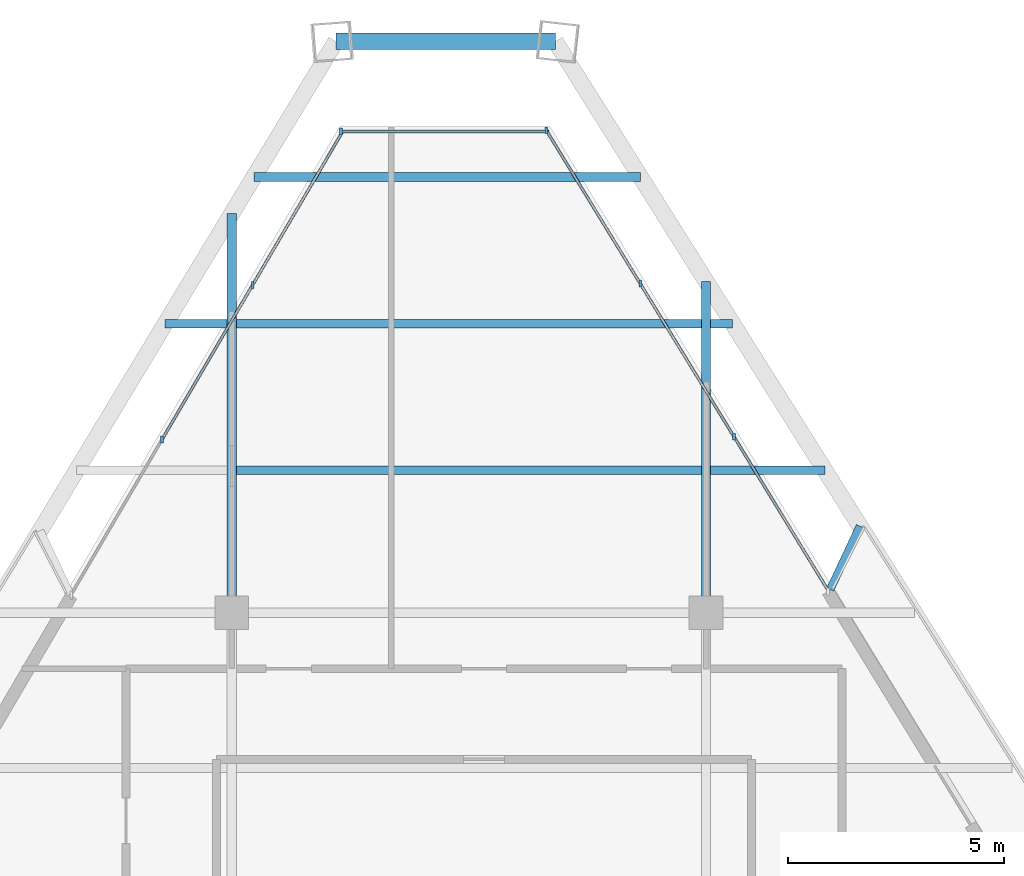
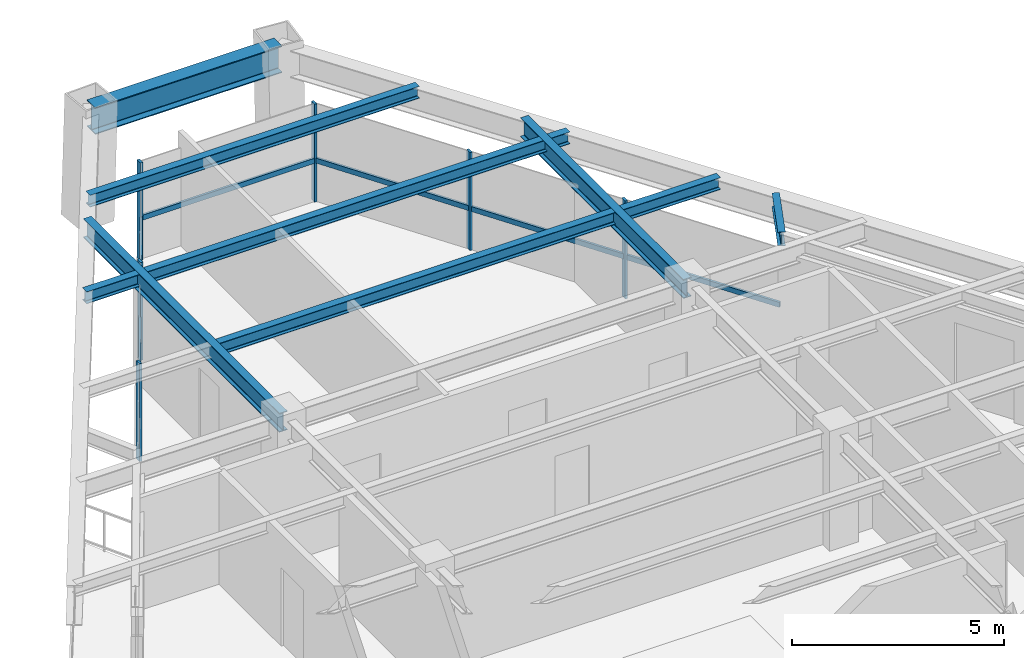
# One storey, part 7 of 13: 12 members, 9 beams, 3 elements without a shape of their own.
"""IFC4 building model written with IfcOpenShell, lengths in metres."""

import ifcopenshell
import ifcopenshell.guid

model = None  # the IFC model being written
_history = None  # IfcOwnerHistory: only IFC2X3 demands one
_inside = {}  # id of a spatial element -> (the spatial element, [elements in it])
_under = {}  # id of a project, library or spatial element -> (it, [spatial elements below it])
_declared = {}  # id of a project -> (the project, [libraries it declares])
_typed = {}  # id of a type object -> (the type object, [elements of that type])
_made_of = {}  # id of a material, layer set ... -> (it, [elements and type objects made of it])


def new_model(schema):
    """Start an empty IFC model of exactly this schema.

    Asked for "IFC4X3", IfcOpenShell would pick the latest addendum, in which some entities
    have other attributes; the version numbers below select the first issue.
    IFC2X3 requires an IfcOwnerHistory on every rooted entity: one is made here for all.
    """
    global model, _history
    if schema == "IFC4X3":
        model = ifcopenshell.file(schema_version=(4, 3, 0, 0))
    else:
        model = ifcopenshell.file(schema=schema)
    _inside.clear()
    _under.clear()
    _declared.clear()
    _typed.clear()
    _made_of.clear()
    _history = None
    if model.schema == "IFC2X3":
        org = make("IfcOrganization", Name="unknown")
        user = make(
            "IfcPersonAndOrganization",
            ThePerson=make("IfcPerson", FamilyName="unknown"),
            TheOrganization=org,
        )
        app = make(
            "IfcApplication",
            ApplicationDeveloper=org,
            Version="unknown",
            ApplicationFullName="unknown",
            ApplicationIdentifier="unknown",
        )
        _history = make(
            "IfcOwnerHistory",
            OwningUser=user,
            OwningApplication=app,
            ChangeAction="ADDED",
            CreationDate=0,
        )
    return model


def make(cls, **values):
    """One entity of the class cls with the attributes given. An attribute that is None is left unset."""
    return model.create_entity(
        cls, **{name: value for name, value in values.items() if value is not None}
    )


def rooted(cls, **values):
    """An entity with a GlobalId (a new one), such as an element, a storey or a relation."""
    return make(cls, GlobalId=ifcopenshell.guid.new(), OwnerHistory=_history, **values)


def si_unit(unit_type, name, prefix=None):
    """IfcSIUnit, for example si_unit("LENGTHUNIT", "METRE", prefix="MILLI")."""
    return make("IfcSIUnit", UnitType=unit_type, Prefix=prefix, Name=name)


def assignment(units):
    """IfcUnitAssignment: the units of a project."""
    return None if units is None else make("IfcUnitAssignment", Units=units)


def point(xyz):
    """IfcCartesianPoint."""
    return None if xyz is None else make("IfcCartesianPoint", Coordinates=xyz)


def direction(xyz):
    """IfcDirection."""
    return None if xyz is None else make("IfcDirection", DirectionRatios=xyz)


def frame(location, z_axis=None, x_axis=None):
    """IfcAxis2Placement3D, a coordinate frame: its origin and axes. An axis left out is left unset."""
    return make(
        "IfcAxis2Placement3D",
        Location=point(location),
        Axis=direction(z_axis),
        RefDirection=direction(x_axis),
    )


def frame_2d(location, x_axis=None):
    """IfcAxis2Placement2D, a coordinate frame in the plane: its origin and x axis."""
    return make(
        "IfcAxis2Placement2D", Location=point(location), RefDirection=direction(x_axis)
    )


def origin():
    """The frame at (0, 0, 0) with its axes left unset."""
    return frame((0.0, 0.0, 0.0))


def origin_2d():
    """The frame at (0, 0) in the plane with its x axis left unset."""
    return frame_2d((0.0, 0.0))


def place(relative_to, where):
    """IfcLocalPlacement: puts the frame where relative to a parent placement (None: the world)."""
    return make(
        "IfcLocalPlacement", PlacementRelTo=relative_to, RelativePlacement=where
    )


def context(
    kind, dimensions, precision=None, world=None, true_north=None, identifier=None
):
    """IfcGeometricRepresentationContext, for example the 3D "Model" context."""
    return make(
        "IfcGeometricRepresentationContext",
        ContextIdentifier=identifier,
        ContextType=kind,
        CoordinateSpaceDimension=dimensions,
        Precision=precision,
        WorldCoordinateSystem=world,
        TrueNorth=true_north,
    )


def subcontext(parent, identifier, kind, view, scale=None):
    """IfcGeometricRepresentationSubContext, for example "Body" below "Model"."""
    return make(
        "IfcGeometricRepresentationSubContext",
        ContextIdentifier=identifier,
        ContextType=kind,
        ParentContext=parent,
        TargetScale=scale,
        TargetView=view,
    )


def project(units=None, contexts=None):
    """IfcProject with its units and contexts."""
    return rooted(
        "IfcProject",
        Name="project",
        RepresentationContexts=contexts,
        UnitsInContext=assignment(units),
    )


def spatial(cls, under=None, at=None, **own):
    """A site, building, storey or space (cls), placed at a placement, below another one or the project."""
    s = rooted(cls, ObjectPlacement=at, **own)
    if under is not None:
        _under.setdefault(under.id(), (under, []))[1].append(s)
    return s


def profile(cls, at=None, kind="AREA", **sizes):
    """A parametric profile (cls). Its sizes go by their IFC names, for example OverallWidth=200.0."""
    return make(cls, ProfileType=kind, Position=at, **sizes)


def rectangle(**sizes):
    """IfcRectangleProfileDef."""
    return profile("IfcRectangleProfileDef", **sizes)


def i_section(**sizes):
    """IfcIShapeProfileDef."""
    return profile("IfcIShapeProfileDef", **sizes)


def extrude(swept, where, along, depth):
    """IfcExtrudedAreaSolid: the profile swept, set in the frame where, extruded along a direction by depth."""
    return make(
        "IfcExtrudedAreaSolid",
        SweptArea=swept,
        Position=where,
        ExtrudedDirection=direction(along),
        Depth=depth,
    )


def shape(context_of_items, identifier, shape_type, items):
    """IfcShapeRepresentation: the items that make up one representation, for example the "Body"."""
    return make(
        "IfcShapeRepresentation",
        ContextOfItems=context_of_items,
        RepresentationIdentifier=identifier,
        RepresentationType=shape_type,
        Items=items,
    )


def source(mapping_origin, context_of_items, identifier, shape_type, items):
    """IfcRepresentationMap: a shape defined once, which mapped items show again and again."""
    return make(
        "IfcRepresentationMap",
        MappingOrigin=mapping_origin,
        MappedRepresentation=shape(context_of_items, identifier, shape_type, items),
    )


def transform(
    local_origin,
    x_axis=None,
    y_axis=None,
    z_axis=None,
    scale=None,
    scale2=None,
    scale3=None,
    uniform=True,
):
    """IfcCartesianTransformationOperator3D, or its non-uniform kind. x_axis, y_axis, z_axis: its Axis1, 2, 3."""
    if uniform:
        return make(
            "IfcCartesianTransformationOperator3D",
            Axis1=direction(x_axis),
            Axis2=direction(y_axis),
            LocalOrigin=point(local_origin),
            Scale=scale,
            Axis3=direction(z_axis),
        )
    return make(
        "IfcCartesianTransformationOperator3DnonUniform",
        Axis1=direction(x_axis),
        Axis2=direction(y_axis),
        LocalOrigin=point(local_origin),
        Scale=scale,
        Axis3=direction(z_axis),
        Scale2=scale2,
        Scale3=scale3,
    )


def mapped(mapping_source, mapping_target):
    """IfcMappedItem: shows the shape of a source again, moved by a transform."""
    return make(
        "IfcMappedItem", MappingSource=mapping_source, MappingTarget=mapping_target
    )


def material(Name=None, Category=None):
    """IfcMaterial."""
    return make("IfcMaterial", Name=Name, Category=Category)


def material_profile(
    of_material, cross_section, Name=None, Category=None, Priority=None
):
    """IfcMaterialProfile: a cross section and its material."""
    return make(
        "IfcMaterialProfile",
        Name=Name,
        Material=of_material,
        Profile=cross_section,
        Priority=Priority,
        Category=Category,
    )


def profile_set(profiles, Name=None, composite=None):
    """IfcMaterialProfileSet."""
    return make(
        "IfcMaterialProfileSet",
        Name=Name,
        MaterialProfiles=profiles,
        CompositeProfile=composite,
    )


def made_of(thing, what):
    """Note that an element or type object is made of a material, layer set ...; save() writes the relation."""
    if what is not None:
        _made_of.setdefault(what.id(), (what, []))[1].append(thing)
    return thing


def type_object(cls, material=None, **own):
    """A type object (cls), such as IfcWallType, which elements share."""
    return made_of(rooted(cls, **own), material)


def element(
    cls,
    number,
    at=None,
    inside=None,
    cuts=None,
    type_object=None,
    material=None,
    context=None,
    identifier="Body",
    shape_type=None,
    held_by="IfcProductDefinitionShape",
    body=None,
    shapes=None,
    **own,
):
    """One element of the class cls, such as IfcWall. Its Tag is "e" and its number.

    at: its placement. inside: the storey or other place that contains it. cuts: it is an
    opening in that element (IfcRelVoidsElement). A single representation is given by context,
    identifier, shape_type and body (its items); several are given by shapes. held_by: the class
    of the entity that holds the representations. save() writes the other relations.
    """
    e = rooted(cls, Tag="e%d" % number, ObjectPlacement=at, **own)
    if body is not None:
        shapes = [shape(context, identifier, shape_type, body)]
    if shapes is not None:
        e.Representation = make(held_by, Representations=shapes)
    if inside is not None:
        _inside.setdefault(inside.id(), (inside, []))[1].append(e)
    if cuts is not None:
        rooted(
            "IfcRelVoidsElement", RelatingBuildingElement=cuts, RelatedOpeningElement=e
        )
    if type_object is not None:
        _typed.setdefault(type_object.id(), (type_object, []))[1].append(e)
    return made_of(e, material)


def aggregate(whole, parts):
    """IfcRelAggregates: a whole, such as a stair, and the parts it consists of."""
    return rooted("IfcRelAggregates", RelatingObject=whole, RelatedObjects=parts)


def save(model, path):
    """Write the relations noted so far, then the file.

    IfcRelAggregates (storeys below a building ...), IfcRelContainedInSpatialStructure (elements
    in a storey), IfcRelDefinesByType, IfcRelAssociatesMaterial and IfcRelDeclares: one each for
    every whole, place, type object, material and project.
    """
    for whole, parts in _under.values():
        aggregate(whole, parts)
    for where, things in _inside.values():
        rooted(
            "IfcRelContainedInSpatialStructure",
            RelatedElements=things,
            RelatingStructure=where,
        )
    for kind, things in _typed.values():
        rooted("IfcRelDefinesByType", RelatedObjects=things, RelatingType=kind)
    for what, things in _made_of.values():
        rooted("IfcRelAssociatesMaterial", RelatedObjects=things, RelatingMaterial=what)
    for by, libraries in _declared.values():
        rooted("IfcRelDeclares", RelatingContext=by, RelatedDefinitions=libraries)
    model.write(path)


model = new_model("IFC4")

# Units and contexts
model_context = context("Model", 3, precision=1e-05, world=origin(), true_north=direction((0.0, 1.0)))
body_context = subcontext(model_context, "Body", "Model", "MODEL_VIEW")
ifc_project = project(units=[si_unit("LENGTHUNIT", "METRE"), si_unit("AREAUNIT", "SQUARE_METRE"), si_unit("VOLUMEUNIT", "CUBIC_METRE"), si_unit("PLANEANGLEUNIT", "RADIAN"), si_unit("MASSUNIT", "GRAM", prefix="KILO")], contexts=[model_context])

# Site, building, storey
site_placement = place(None, origin())
site = spatial("IfcSite", under=ifc_project, at=site_placement, CompositionType="ELEMENT")
building_placement = place(site_placement, origin())
building = spatial("IfcBuilding", under=site, at=building_placement, Name="Varnakhor Terracotta Tower", CompositionType="ELEMENT")
storey_placement = place(building_placement, frame((0.0, 0.0, 247.60009765625)))
storey = spatial("IfcBuildingStorey", under=building, at=storey_placement, Name="L64", CompositionType="ELEMENT", Elevation=247.60009765625)

# Beams
ifc_material_1 = material(Name="Steel S355", Category="steel")
ifc_material_profile_1 = material_profile(ifc_material_1, i_section(OverallWidth=0.202880859375, OverallDepth=0.346923828125, WebThickness=0.0078125, FlangeThickness=0.013427734375, FilletRadius=0.01806640625, at=origin_2d()), Name="W14X43")
ifc_profile_set_1 = profile_set([ifc_material_profile_1], Name="Steel S355")
beam_type_1 = type_object("IfcBeamType", Name="JST-W14X43", PredefinedType="JOIST", material=ifc_profile_set_1)
shared_shape_1 = source(origin(), body_context, "Body", "SweptSolid", [
    extrude(i_section(OverallWidth=0.202880859375, OverallDepth=0.346923828125, WebThickness=0.0078125, FlangeThickness=0.013427734375, FilletRadius=0.01806640625, at=origin_2d()), origin(), (0.0, 0.0, 1.0), 10.7939453125),
])
beam_1_placement = place(storey_placement, frame((-5.39697265625, 34.800048828125, 3.06640625), z_axis=(1.0, 0.0, 0.0), x_axis=(0.0, 1.0, 0.0)))
element("IfcBeam", 1, at=beam_1_placement, inside=storey, type_object=beam_type_1, Name="L64 Composite Floor Joist 7-2", PredefinedType="JOIST", context=body_context, shape_type="MappedRepresentation", body=[
    mapped(shared_shape_1, transform((0.0, 0.0, 0.0), scale=1.0)),
])
ifc_material_profile_2 = material_profile(ifc_material_1, i_section(OverallWidth=0.381103515625, OverallDepth=0.77294921875, WebThickness=0.01708984375, FlangeThickness=0.027099609375, FilletRadius=0.01806640625, at=origin_2d()), Name="W30X173")
ifc_profile_set_2 = profile_set([ifc_material_profile_2], Name="Steel S355")
beam_type_2 = type_object("IfcBeamType", Name="BM-W30X173", PredefinedType="BEAM", material=ifc_profile_set_2)
shared_shape_2 = source(origin(), body_context, "Body", "SweptSolid", [
    extrude(i_section(OverallWidth=0.381103515625, OverallDepth=0.77294921875, WebThickness=0.01708984375, FlangeThickness=0.027099609375, FilletRadius=0.01806640625, at=origin_2d()), origin(), (0.0, 0.0, 1.0), 5.09033203125),
])
beam_2_placement = place(storey_placement, frame((2.00439453125, 44.7451171875, 2.853515625), z_axis=(-1.0, 0.0, 0.0), x_axis=(0.0, -1.0, 0.0)))
element("IfcBeam", 2, at=beam_2_placement, inside=storey, type_object=beam_type_2, Name="L64 Perimeter Spandrel 5", PredefinedType="BEAM", context=body_context, shape_type="MappedRepresentation", body=[
    mapped(shared_shape_2, transform((0.0, 0.0, 0.0), scale=1.0)),
])
ifc_material_profile_3 = material_profile(ifc_material_1, i_section(OverallWidth=0.214111328125, OverallDepth=0.549072265625, WebThickness=0.014892578125, FlangeThickness=0.02392578125, FilletRadius=0.01806640625, at=origin_2d()), Name="W21X93")
ifc_profile_set_3 = profile_set([ifc_material_profile_3], Name="Steel S355")
beam_type_3 = type_object("IfcBeamType", Name="BM-W21X93", PredefinedType="BEAM", material=ifc_profile_set_3)
shared_shape_3 = source(origin(), body_context, "Body", "SweptSolid", [
    extrude(i_section(OverallWidth=0.214111328125, OverallDepth=0.549072265625, WebThickness=0.014892578125, FlangeThickness=0.02392578125, FilletRadius=0.01806640625, at=origin_2d()), origin(), (0.0, 0.0, 1.0), 9.2509765625),
])
beam_3_placement = place(storey_placement, frame((-5.5, 31.5, 2.96533203125), z_axis=(0.0, 1.0, 0.0), x_axis=(-1.0, 0.0, 0.0)))
element("IfcBeam", 3, at=beam_3_placement, inside=storey, type_object=beam_type_3, Name="L64 Primary Girder NS3-W", PredefinedType="BEAM", context=body_context, shape_type="MappedRepresentation", body=[
    mapped(shared_shape_3, transform((0.0, 0.0, 0.0), scale=1.0)),
])
shared_shape_4 = source(origin(), body_context, "Body", "SweptSolid", [
    extrude(i_section(OverallWidth=0.214111328125, OverallDepth=0.549072265625, WebThickness=0.014892578125, FlangeThickness=0.02392578125, FilletRadius=0.01806640625, at=origin_2d()), origin(), (0.0, 0.0, 1.0), 7.683837890625),
])
beam_4_placement = place(storey_placement, frame((5.5, 31.5, 2.96533203125), z_axis=(0.0, 1.0, 0.0), x_axis=(-1.0, 0.0, 0.0)))
element("IfcBeam", 4, at=beam_4_placement, inside=storey, type_object=beam_type_3, Name="L64 Primary Girder NS3-E", PredefinedType="BEAM", context=body_context, shape_type="MappedRepresentation", body=[
    mapped(shared_shape_4, transform((0.0, 0.0, 0.0), scale=1.0)),
])
shared_shape_5 = source(origin(), body_context, "Body", "SweptSolid", [
    extrude(i_section(OverallWidth=0.202880859375, OverallDepth=0.346923828125, WebThickness=0.0078125, FlangeThickness=0.013427734375, FilletRadius=0.01806640625, at=origin_2d()), origin(), (0.0, 0.0, 1.0), 2.652587890625),
])
beam_5_placement = place(storey_placement, frame((5.60302734375, 34.800048828125, 3.06640625), z_axis=(1.0, 0.0, 0.0), x_axis=(0.0, 1.0, 0.0)))
element("IfcBeam", 5, at=beam_5_placement, inside=storey, type_object=beam_type_1, Name="L64 Composite Floor Joist 7-3", PredefinedType="JOIST", context=body_context, shape_type="MappedRepresentation", body=[
    mapped(shared_shape_5, transform((0.0, 0.0, 0.0), scale=1.0)),
])
shared_shape_6 = source(origin(), body_context, "Body", "SweptSolid", [
    extrude(i_section(OverallWidth=0.202880859375, OverallDepth=0.346923828125, WebThickness=0.0078125, FlangeThickness=0.013427734375, FilletRadius=0.01806640625, at=origin_2d()), origin(), (0.0, 0.0, 1.0), 1.438720703125),
])
beam_6_placement = place(storey_placement, frame((-7.041748046875, 38.199951171875, 3.06640625), z_axis=(1.0, 0.0, 0.0), x_axis=(0.0, 1.0, 0.0)))
element("IfcBeam", 6, at=beam_6_placement, inside=storey, type_object=beam_type_1, Name="L64 Composite Floor Joist 8-1", PredefinedType="JOIST", context=body_context, shape_type="MappedRepresentation", body=[
    mapped(shared_shape_6, transform((0.0, 0.0, 0.0), scale=1.0)),
])
shared_shape_7 = source(origin(), body_context, "Body", "SweptSolid", [
    extrude(i_section(OverallWidth=0.202880859375, OverallDepth=0.346923828125, WebThickness=0.0078125, FlangeThickness=0.013427734375, FilletRadius=0.01806640625, at=origin_2d()), origin(), (0.0, 0.0, 1.0), 11.515380859375),
])
beam_7_placement = place(storey_placement, frame((-5.39697265625, 38.199951171875, 3.06640625), z_axis=(1.0, 0.0, 0.0), x_axis=(0.0, 1.0, 0.0)))
element("IfcBeam", 7, at=beam_7_placement, inside=storey, type_object=beam_type_1, Name="L64 Composite Floor Joist 8-2", PredefinedType="JOIST", context=body_context, shape_type="MappedRepresentation", body=[
    mapped(shared_shape_7, transform((0.0, 0.0, 0.0), scale=1.0)),
])
shared_shape_8 = source(origin(), body_context, "Body", "SweptSolid", [
    extrude(i_section(OverallWidth=0.202880859375, OverallDepth=0.346923828125, WebThickness=0.0078125, FlangeThickness=0.013427734375, FilletRadius=0.01806640625, at=origin_2d()), origin(), (0.0, 0.0, 1.0), 8.968017578125),
])
beam_8_placement = place(storey_placement, frame((-4.98681640625, 41.60009765625, 3.06640625), z_axis=(1.0, 0.0, 0.0), x_axis=(0.0, 1.0, 0.0)))
element("IfcBeam", 8, at=beam_8_placement, inside=storey, type_object=beam_type_1, Name="L64 Composite Floor Joist 9-1", PredefinedType="JOIST", context=body_context, shape_type="MappedRepresentation", body=[
    mapped(shared_shape_8, transform((0.0, 0.0, 0.0), scale=1.0)),
])

# Curtain wall, members
ifc_material_2 = material(Name="Anodised Aluminium Curtain Wall System", Category="aluminium")
curtain_wall_type = type_object("IfcCurtainWallType", Name="CW-SYS-HOTEL-LOGGIA", PredefinedType="NOTDEFINED", material=ifc_material_2)
curtain_wall_1_placement = place(storey_placement, origin())
curtain_wall_1 = element("IfcCurtainWall", 9, at=curtain_wall_1_placement, inside=storey, type_object=curtain_wall_type, Name="L64 W Facet Curtain Wall 2", PredefinedType="NOTDEFINED")
ifc_material_3 = material(Name="Anodised Aluminium 6063-T6", Category="aluminium")
ifc_material_profile_4 = material_profile(ifc_material_3, rectangle(XDim=0.06494140625, YDim=0.159912109375, at=origin_2d()), Name="ALU MULLION 65x160")
ifc_profile_set_4 = profile_set([ifc_material_profile_4], Name="Anodised Aluminium 6063-T6")
member_type_1 = type_object("IfcMemberType", Name="CWM-04", PredefinedType="MULLION", material=ifc_profile_set_4)
shared_shape_9 = source(origin(), body_context, "Body", "SweptSolid", [
    extrude(rectangle(XDim=0.06494140625, YDim=0.159912109375, at=origin_2d()), origin(), (0.0, 0.0, 1.0), 2.81982421875),
])
member_1_placement = place(storey_placement, frame((-7.1162109375, 35.512451171875, 0.0), z_axis=(0.0, 0.0, 1.0), x_axis=(1.0, 0.0, 0.0)))
member_1 = element("IfcMember", 10, at=member_1_placement, type_object=member_type_1, Name="L64 W Facet Curtain Wall 2 Mullion 2", PredefinedType="MULLION", context=body_context, shape_type="MappedRepresentation", body=[
    mapped(shared_shape_9, transform((0.0, 0.0, 0.0), scale=1.0)),
])
member_2_placement = place(storey_placement, frame((-5.012451171875, 39.10009765625, 0.0), z_axis=(0.0, 0.0, 1.0), x_axis=(1.0, 0.0, 0.0)))
member_2 = element("IfcMember", 11, at=member_2_placement, type_object=member_type_1, Name="L64 W Facet Curtain Wall 2 Mullion 3", PredefinedType="MULLION", context=body_context, shape_type="MappedRepresentation", body=[
    mapped(shared_shape_9, transform((0.0, 0.0, 0.0), scale=1.0)),
])

# Curtain wall, member
curtain_wall_2_placement = place(storey_placement, origin())
curtain_wall_2 = element("IfcCurtainWall", 12, at=curtain_wall_2_placement, inside=storey, type_object=curtain_wall_type, Name="L64 Facet Curtain Wall 2", PredefinedType="NOTDEFINED")
member_3_placement = place(storey_placement, frame((-2.966796875, 42.654296875, 0.0), z_axis=(0.0, 0.0, 1.0), x_axis=(1.0, 0.0, 0.0)))
member_3 = element("IfcMember", 13, at=member_3_placement, type_object=member_type_1, Name="L64 Facet Curtain Wall 2 Mullion 1", PredefinedType="MULLION", context=body_context, shape_type="MappedRepresentation", body=[
    mapped(shared_shape_9, transform((0.0, 0.0, 0.0), scale=1.0)),
])

# Curtain wall, members
curtain_wall_3_placement = place(storey_placement, origin())
curtain_wall_3 = element("IfcCurtainWall", 14, at=curtain_wall_3_placement, inside=storey, type_object=curtain_wall_type, Name="L64 E Facet Curtain Wall 1", PredefinedType="NOTDEFINED")
member_4_placement = place(storey_placement, frame((1.795654296875, 42.685791015625, 0.0), z_axis=(0.0, 0.0, 1.0), x_axis=(1.0, 0.0, 0.0)))
member_4 = element("IfcMember", 15, at=member_4_placement, type_object=member_type_1, Name="L64 E Facet Curtain Wall 1 Mullion 1", PredefinedType="MULLION", context=body_context, shape_type="MappedRepresentation", body=[
    mapped(shared_shape_9, transform((0.0, 0.0, 0.0), scale=1.0)),
])
member_5_placement = place(storey_placement, frame((3.97216796875, 39.13232421875, 0.0), z_axis=(0.0, 0.0, 1.0), x_axis=(1.0, 0.0, 0.0)))
member_5 = element("IfcMember", 16, at=member_5_placement, type_object=member_type_1, Name="L64 E Facet Curtain Wall 1 Mullion 2", PredefinedType="MULLION", context=body_context, shape_type="MappedRepresentation", body=[
    mapped(shared_shape_9, transform((0.0, 0.0, 0.0), scale=1.0)),
])
member_6_placement = place(storey_placement, frame((6.148681640625, 35.578857421875, 0.0), z_axis=(0.0, 0.0, 1.0), x_axis=(1.0, 0.0, 0.0)))
member_6 = element("IfcMember", 17, at=member_6_placement, type_object=member_type_1, Name="L64 E Facet Curtain Wall 1 Mullion 3", PredefinedType="MULLION", context=body_context, shape_type="MappedRepresentation", body=[
    mapped(shared_shape_9, transform((0.0, 0.0, 0.0), scale=1.0)),
])

# Member
ifc_material_profile_5 = material_profile(ifc_material_3, rectangle(XDim=0.06494140625, YDim=0.14501953125, at=origin_2d()), Name="ALU TRANSOM 65x145")
ifc_profile_set_5 = profile_set([ifc_material_profile_5], Name="Anodised Aluminium 6063-T6")
member_type_2 = type_object("IfcMemberType", Name="CWT-04", PredefinedType="USERDEFINED", material=ifc_profile_set_5)
shared_shape_10 = source(origin(), body_context, "Body", "SweptSolid", [
    extrude(rectangle(XDim=0.06494140625, YDim=0.14501953125, at=origin_2d()), origin(), (0.0, 0.0, 1.0), 4.158935546875),
])
member_7_placement = place(storey_placement, frame((-7.1162109375, 35.512451171875, 1.184326171875), z_axis=(0.505837003353, 0.8626290779, 0.0), x_axis=(-0.8626290779, 0.505837003353, 0.0)))
member_7 = element("IfcMember", 18, at=member_7_placement, type_object=member_type_2, Name="L64 W Facet Curtain Wall 2 Transom 2", ObjectType="TRANSOM", PredefinedType="USERDEFINED", context=body_context, shape_type="MappedRepresentation", body=[
    mapped(shared_shape_10, transform((0.0, 0.0, 0.0), scale=1.0)),
])

member_8_placement = place(storey_placement, frame((-5.012451171875, 39.10009765625, 1.184326171875), z_axis=(0.505906299884, 0.862588439371, 0.0), x_axis=(-0.862588439371, 0.505906299884, 0.0)))
member_8 = element("IfcMember", 19, at=member_8_placement, type_object=member_type_2, Name="L64 W Facet Curtain Wall 2 Transom 3", ObjectType="TRANSOM", PredefinedType="USERDEFINED", context=body_context, shape_type="MappedRepresentation", body=[
    mapped(shared_shape_10, transform((0.0, 0.0, 0.0), scale=1.0)),
])

aggregate(curtain_wall_1, [member_1, member_7, member_2, member_8])

shared_shape_11 = source(origin(), body_context, "Body", "SweptSolid", [
    extrude(rectangle(XDim=0.06494140625, YDim=0.14501953125, at=origin_2d()), origin(), (0.0, 0.0, 1.0), 4.819091796875),
])
member_9_placement = place(storey_placement, frame((-2.966796875, 42.654296875, 1.184326171875), z_axis=(1.0, 0.0, 0.0), x_axis=(0.0, 1.0, 0.0)))
member_9 = element("IfcMember", 20, at=member_9_placement, type_object=member_type_2, Name="L64 Facet Curtain Wall 2 Transom 1", ObjectType="TRANSOM", PredefinedType="USERDEFINED", context=body_context, shape_type="MappedRepresentation", body=[
    mapped(shared_shape_11, transform((0.0, 0.0, 0.0), scale=1.0)),
])

aggregate(curtain_wall_2, [member_3, member_9])

shared_shape_12 = source(origin(), body_context, "Body", "SweptSolid", [
    extrude(rectangle(XDim=0.06494140625, YDim=0.14501953125, at=origin_2d()), origin(), (0.0, 0.0, 1.0), 4.1669921875),
])
member_10_placement = place(storey_placement, frame((1.795654296875, 42.685791015625, 1.184326171875), z_axis=(0.522314741891, -0.852752783873, 0.0), x_axis=(0.852752783873, 0.522314741891, 0.0)))
member_10 = element("IfcMember", 21, at=member_10_placement, type_object=member_type_2, Name="L64 E Facet Curtain Wall 1 Transom 1", ObjectType="TRANSOM", PredefinedType="USERDEFINED", context=body_context, shape_type="MappedRepresentation", body=[
    mapped(shared_shape_12, transform((0.0, 0.0, 0.0), scale=1.0)),
])

member_11_placement = place(storey_placement, frame((3.97216796875, 39.13232421875, 1.184326171875), z_axis=(0.522314741891, -0.852752783873, 0.0), x_axis=(0.852752783873, 0.522314741891, 0.0)))
member_11 = element("IfcMember", 22, at=member_11_placement, type_object=member_type_2, Name="L64 E Facet Curtain Wall 1 Transom 2", ObjectType="TRANSOM", PredefinedType="USERDEFINED", context=body_context, shape_type="MappedRepresentation", body=[
    mapped(shared_shape_12, transform((0.0, 0.0, 0.0), scale=1.0)),
])

member_12_placement = place(storey_placement, frame((6.148681640625, 35.578857421875, 1.184326171875), z_axis=(0.522314741891, -0.852752783873, 0.0), x_axis=(0.852752783873, 0.522314741891, 0.0)))
member_12 = element("IfcMember", 23, at=member_12_placement, type_object=member_type_2, Name="L64 E Facet Curtain Wall 1 Transom 3", ObjectType="TRANSOM", PredefinedType="USERDEFINED", context=body_context, shape_type="MappedRepresentation", body=[
    mapped(shared_shape_12, transform((0.0, 0.0, 0.0), scale=1.0)),
])

aggregate(curtain_wall_3, [member_4, member_10, member_5, member_11, member_6, member_12])

# Beam
ifc_material_profile_6 = material_profile(ifc_material_1, i_section(OverallWidth=0.179931640625, OverallDepth=0.39990234375, WebThickness=0.008544921875, FlangeThickness=0.013427734375, FilletRadius=0.01806640625, at=origin_2d()), Name="IPE400")
ifc_profile_set_6 = profile_set([ifc_material_profile_6], Name="Steel S355")
beam_type_4 = type_object("IfcBeamType", Name="JST-IPE400", PredefinedType="JOIST", material=ifc_profile_set_6)
shared_shape_13 = source(origin(), body_context, "Body", "SweptSolid", [
    extrude(i_section(OverallWidth=0.179931640625, OverallDepth=0.39990234375, WebThickness=0.008544921875, FlangeThickness=0.013427734375, FilletRadius=0.01806640625, at=origin_2d()), origin(), (0.0, 0.0, 1.0), 1.628173828125),
])
beam_9_placement = place(storey_placement, frame((8.3759765625, 32.0341796875, 3.039794921875), z_axis=(0.42464131359, 0.905361670711, 0.0), x_axis=(-0.905361670711, 0.42464131359, 0.0)))
element("IfcBeam", 24, at=beam_9_placement, inside=storey, type_object=beam_type_4, Name="L65 E Loggia Tie Beam 1", PredefinedType="JOIST", context=body_context, shape_type="MappedRepresentation", body=[
    mapped(shared_shape_13, transform((0.0, 0.0, 0.0), scale=1.0)),
])

save(model, "model.ifc")
